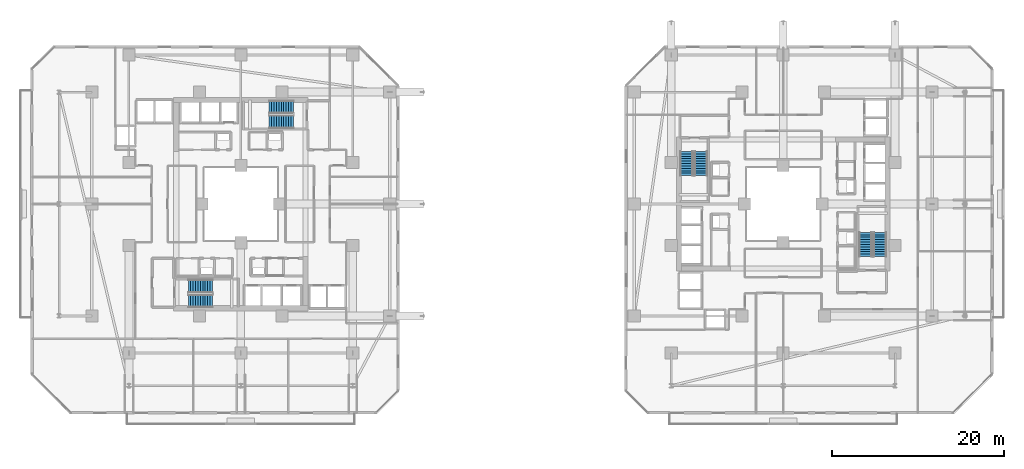
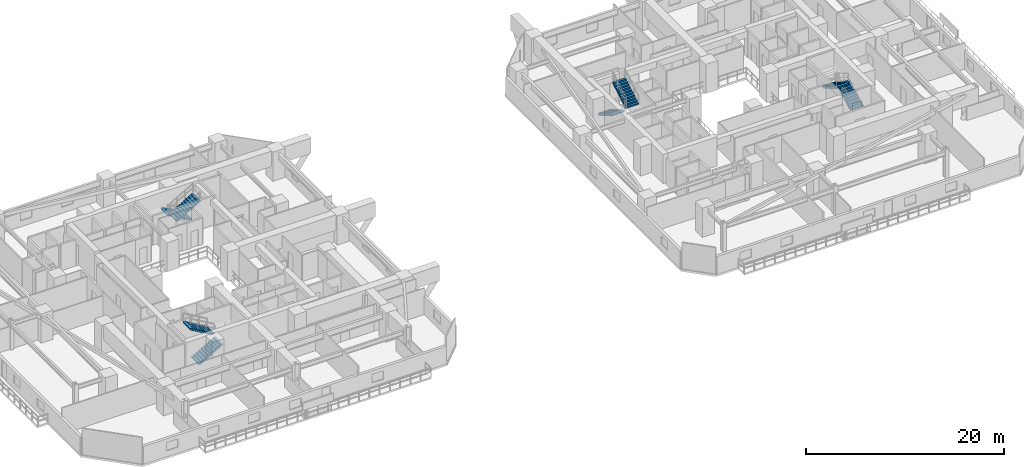
# One storey, part 29 of 36: 8 stair flights, 4 elements without a shape of their own.
"""IFC4 building model written with IfcOpenShell, lengths in metres."""

from ifc_helpers import new_model, si_unit, direction, frame, origin, place, context, subcontext, project, spatial, polyline, outline, extrude, material, type_object, element, aggregate, save


model = new_model("IFC4")

# Units and contexts
model_context = context("Model", 3, precision=1e-05, world=origin(), true_north=direction((0.0, 1.0)))
body_context = subcontext(model_context, "Body", "Model", "MODEL_VIEW")
ifc_project = project(units=[si_unit("LENGTHUNIT", "METRE"), si_unit("AREAUNIT", "SQUARE_METRE"), si_unit("VOLUMEUNIT", "CUBIC_METRE"), si_unit("PLANEANGLEUNIT", "RADIAN"), si_unit("MASSUNIT", "GRAM", prefix="KILO")], contexts=[model_context])

# Site, building, storey
site_placement = place(None, origin())
site = spatial("IfcSite", under=ifc_project, at=site_placement, CompositionType="ELEMENT")
building_placement = place(site_placement, origin())
building = spatial("IfcBuilding", under=site, at=building_placement, Name="Thornwick Lancets Civic Towers", CompositionType="ELEMENT")
storey_placement = place(building_placement, frame((0.0, 0.0, 45.89990234375)))
storey = spatial("IfcBuildingStorey", under=building, at=storey_placement, Name="L11", CompositionType="ELEMENT", Elevation=45.89990234375)

# Stair, stair flights
ifc_material = material(Name="Concrete C40/50", Category="concrete")
stair_type = type_object("IfcStairType", Name="STAIR_DL_3600", PredefinedType="HALF_TURN_STAIR", material=ifc_material)
stair_1_placement = place(storey_placement, origin())
stair_1 = element("IfcStair", 1, at=stair_1_placement, inside=storey, type_object=stair_type, Name="L11 Tower A South Exit Stair ST-A1", PredefinedType="HALF_TURN_STAIR")
stair_flight_type = type_object("IfcStairFlightType", Name="FLIGHT_3600", PredefinedType="STRAIGHT", material=ifc_material)
stair_flight_1_placement = place(storey_placement, frame((19.39990234375, 15.75, 0.0), z_axis=(0.0, 0.0, 1.0), x_axis=(1.0, 0.0, 0.0)))
stair_flight_1 = element("IfcStairFlight", 2, at=stair_flight_1_placement, type_object=stair_flight_type, Name="ST-A1 flight 1", NumberOfRisers=11, NumberOfTreads=10, PredefinedType="STRAIGHT", RiserHeight=0.163636364, TreadLength=0.28, context=body_context, shape_type="SweptSolid", body=[
    extrude(outline(polyline([(0.0, 0.0), (0.0, 0.16357421875), (0.280029296875, 0.16357421875), (0.280029296875, 0.327392578125), (0.56005859375, 0.327392578125), (0.56005859375, 0.490966796875), (0.840087890625, 0.490966796875), (0.840087890625, 0.654541015625), (1.1201171875, 0.654541015625), (1.1201171875, 0.818115234375), (1.39990234375, 0.818115234375), (1.39990234375, 0.98193359375), (1.679931640625, 0.98193359375), (1.679931640625, 1.1455078125), (1.9599609375, 1.1455078125), (1.9599609375, 1.30908203125), (2.239990234375, 1.30908203125), (2.239990234375, 1.47265625), (2.52001953125, 1.47265625), (2.52001953125, 1.636474609375), (2.800048828125, 1.636474609375), (2.800048828125, 1.800048828125), (2.800048828125, 1.462646484375), (0.297119140625, 0.0), (0.0, 0.0)])), frame((0.0, 0.75, 0.0), z_axis=(0.0, -1.0, 0.0), x_axis=(1.0, 0.0, 0.0)), (0.0, 0.0, 1.0), 1.5),
])
stair_flight_2_placement = place(storey_placement, frame((22.199951171875, 17.449951171875, 1.800048828125), z_axis=(0.0, 0.0, 1.0), x_axis=(-1.0, 0.0, 0.0)))
stair_flight_2 = element("IfcStairFlight", 3, at=stair_flight_2_placement, type_object=stair_flight_type, Name="ST-A1 flight 2", NumberOfRisers=11, NumberOfTreads=10, PredefinedType="STRAIGHT", RiserHeight=0.163636364, TreadLength=0.28, context=body_context, shape_type="SweptSolid", body=[
    extrude(outline(polyline([(0.0, 0.0), (0.0, 0.16357421875), (0.280029296875, 0.16357421875), (0.280029296875, 0.327392578125), (0.56005859375, 0.327392578125), (0.56005859375, 0.490966796875), (0.840087890625, 0.490966796875), (0.840087890625, 0.654541015625), (1.1201171875, 0.654541015625), (1.1201171875, 0.818115234375), (1.39990234375, 0.818115234375), (1.39990234375, 0.98193359375), (1.679931640625, 0.98193359375), (1.679931640625, 1.1455078125), (1.9599609375, 1.1455078125), (1.9599609375, 1.30908203125), (2.239990234375, 1.30908203125), (2.239990234375, 1.47265625), (2.52001953125, 1.47265625), (2.52001953125, 1.636474609375), (2.800048828125, 1.636474609375), (2.800048828125, 1.800048828125), (2.800048828125, 1.462646484375), (0.297119140625, 0.0), (0.0, 0.0)])), frame((0.0, 0.75, 0.0), z_axis=(0.0, -1.0, 0.0), x_axis=(1.0, 0.0, 0.0)), (0.0, 0.0, 1.0), 1.5),
])
aggregate(stair_1, [stair_flight_1, stair_flight_2])

stair_2_placement = place(storey_placement, origin())
stair_2 = element("IfcStair", 4, at=stair_2_placement, inside=storey, type_object=stair_type, Name="L11 Tower A North Exit Stair ST-A2", PredefinedType="HALF_TURN_STAIR")
stair_flight_3_placement = place(storey_placement, frame((31.60009765625, 38.25, 0.0), z_axis=(0.0, 0.0, 1.0), x_axis=(-1.0, 0.0, 0.0)))
stair_flight_3 = element("IfcStairFlight", 5, at=stair_flight_3_placement, type_object=stair_flight_type, Name="ST-A2 flight 1", NumberOfRisers=11, NumberOfTreads=10, PredefinedType="STRAIGHT", RiserHeight=0.163636364, TreadLength=0.28, context=body_context, shape_type="SweptSolid", body=[
    extrude(outline(polyline([(0.0, 0.0), (0.0, 0.16357421875), (0.280029296875, 0.16357421875), (0.280029296875, 0.327392578125), (0.56005859375, 0.327392578125), (0.56005859375, 0.490966796875), (0.840087890625, 0.490966796875), (0.840087890625, 0.654541015625), (1.1201171875, 0.654541015625), (1.1201171875, 0.818115234375), (1.39990234375, 0.818115234375), (1.39990234375, 0.98193359375), (1.679931640625, 0.98193359375), (1.679931640625, 1.1455078125), (1.9599609375, 1.1455078125), (1.9599609375, 1.30908203125), (2.239990234375, 1.30908203125), (2.239990234375, 1.47265625), (2.52001953125, 1.47265625), (2.52001953125, 1.636474609375), (2.800048828125, 1.636474609375), (2.800048828125, 1.800048828125), (2.800048828125, 1.462646484375), (0.297119140625, 0.0), (0.0, 0.0)])), frame((0.0, 0.75, 0.0), z_axis=(0.0, -1.0, 0.0), x_axis=(1.0, 0.0, 0.0)), (0.0, 0.0, 1.0), 1.5),
])
stair_flight_4_placement = place(storey_placement, frame((28.800048828125, 36.550048828125, 1.800048828125), z_axis=(0.0, 0.0, 1.0), x_axis=(1.0, 0.0, 0.0)))
stair_flight_4 = element("IfcStairFlight", 6, at=stair_flight_4_placement, type_object=stair_flight_type, Name="ST-A2 flight 2", NumberOfRisers=11, NumberOfTreads=10, PredefinedType="STRAIGHT", RiserHeight=0.163636364, TreadLength=0.28, context=body_context, shape_type="SweptSolid", body=[
    extrude(outline(polyline([(0.0, 0.0), (0.0, 0.16357421875), (0.280029296875, 0.16357421875), (0.280029296875, 0.327392578125), (0.56005859375, 0.327392578125), (0.56005859375, 0.490966796875), (0.840087890625, 0.490966796875), (0.840087890625, 0.654541015625), (1.1201171875, 0.654541015625), (1.1201171875, 0.818115234375), (1.39990234375, 0.818115234375), (1.39990234375, 0.98193359375), (1.679931640625, 0.98193359375), (1.679931640625, 1.1455078125), (1.9599609375, 1.1455078125), (1.9599609375, 1.30908203125), (2.239990234375, 1.30908203125), (2.239990234375, 1.47265625), (2.52001953125, 1.47265625), (2.52001953125, 1.636474609375), (2.800048828125, 1.636474609375), (2.800048828125, 1.800048828125), (2.800048828125, 1.462646484375), (0.297119140625, 0.0), (0.0, 0.0)])), frame((0.0, 0.75, 0.0), z_axis=(0.0, -1.0, 0.0), x_axis=(1.0, 0.0, 0.0)), (0.0, 0.0, 1.0), 1.5),
])
aggregate(stair_2, [stair_flight_3, stair_flight_4])

stair_3_placement = place(storey_placement, origin())
stair_3 = element("IfcStair", 7, at=stair_3_placement, inside=storey, type_object=stair_type, Name="L11 Tower B East Exit Stair ST-B1", PredefinedType="HALF_TURN_STAIR")
stair_flight_5_placement = place(storey_placement, frame((99.75, 20.89990234375, 0.0), z_axis=(0.0, 0.0, 1.0), x_axis=(0.0, 1.0, 0.0)))
stair_flight_5 = element("IfcStairFlight", 8, at=stair_flight_5_placement, type_object=stair_flight_type, Name="ST-B1 flight 1", NumberOfRisers=11, NumberOfTreads=10, PredefinedType="STRAIGHT", RiserHeight=0.163636364, TreadLength=0.28, context=body_context, shape_type="SweptSolid", body=[
    extrude(outline(polyline([(0.0, 0.0), (0.0, 0.16357421875), (0.280029296875, 0.16357421875), (0.280029296875, 0.327392578125), (0.56005859375, 0.327392578125), (0.56005859375, 0.490966796875), (0.840087890625, 0.490966796875), (0.840087890625, 0.654541015625), (1.1201171875, 0.654541015625), (1.1201171875, 0.818115234375), (1.39990234375, 0.818115234375), (1.39990234375, 0.98193359375), (1.679931640625, 0.98193359375), (1.679931640625, 1.1455078125), (1.9599609375, 1.1455078125), (1.9599609375, 1.30908203125), (2.239990234375, 1.30908203125), (2.239990234375, 1.47265625), (2.52001953125, 1.47265625), (2.52001953125, 1.636474609375), (2.800048828125, 1.636474609375), (2.800048828125, 1.800048828125), (2.800048828125, 1.462646484375), (0.297119140625, 0.0), (0.0, 0.0)])), frame((0.0, 0.75, 0.0), z_axis=(0.0, -1.0, 0.0), x_axis=(1.0, 0.0, 0.0)), (0.0, 0.0, 1.0), 1.5),
])
stair_flight_6_placement = place(storey_placement, frame((98.050048828125, 23.699951171875, 1.800048828125), z_axis=(0.0, 0.0, 1.0), x_axis=(0.0, -1.0, 0.0)))
stair_flight_6 = element("IfcStairFlight", 9, at=stair_flight_6_placement, type_object=stair_flight_type, Name="ST-B1 flight 2", NumberOfRisers=11, NumberOfTreads=10, PredefinedType="STRAIGHT", RiserHeight=0.163636364, TreadLength=0.28, context=body_context, shape_type="SweptSolid", body=[
    extrude(outline(polyline([(0.0, 0.0), (0.0, 0.16357421875), (0.280029296875, 0.16357421875), (0.280029296875, 0.327392578125), (0.56005859375, 0.327392578125), (0.56005859375, 0.490966796875), (0.840087890625, 0.490966796875), (0.840087890625, 0.654541015625), (1.1201171875, 0.654541015625), (1.1201171875, 0.818115234375), (1.39990234375, 0.818115234375), (1.39990234375, 0.98193359375), (1.679931640625, 0.98193359375), (1.679931640625, 1.1455078125), (1.9599609375, 1.1455078125), (1.9599609375, 1.30908203125), (2.239990234375, 1.30908203125), (2.239990234375, 1.47265625), (2.52001953125, 1.47265625), (2.52001953125, 1.636474609375), (2.800048828125, 1.636474609375), (2.800048828125, 1.800048828125), (2.800048828125, 1.462646484375), (0.297119140625, 0.0), (0.0, 0.0)])), frame((0.0, 0.75, 0.0), z_axis=(0.0, -1.0, 0.0), x_axis=(1.0, 0.0, 0.0)), (0.0, 0.0, 1.0), 1.5),
])
aggregate(stair_3, [stair_flight_5, stair_flight_6])

stair_4_placement = place(storey_placement, origin())
stair_4 = element("IfcStair", 10, at=stair_4_placement, inside=storey, type_object=stair_type, Name="L11 Tower B West Exit Stair ST-B2", PredefinedType="HALF_TURN_STAIR")
stair_flight_7_placement = place(storey_placement, frame((77.25, 33.10009765625, 0.0), z_axis=(0.0, 0.0, 1.0), x_axis=(0.0, -1.0, 0.0)))
stair_flight_7 = element("IfcStairFlight", 11, at=stair_flight_7_placement, type_object=stair_flight_type, Name="ST-B2 flight 1", NumberOfRisers=11, NumberOfTreads=10, PredefinedType="STRAIGHT", RiserHeight=0.163636364, TreadLength=0.28, context=body_context, shape_type="SweptSolid", body=[
    extrude(outline(polyline([(0.0, 0.0), (0.0, 0.16357421875), (0.280029296875, 0.16357421875), (0.280029296875, 0.327392578125), (0.56005859375, 0.327392578125), (0.56005859375, 0.490966796875), (0.840087890625, 0.490966796875), (0.840087890625, 0.654541015625), (1.1201171875, 0.654541015625), (1.1201171875, 0.818115234375), (1.39990234375, 0.818115234375), (1.39990234375, 0.98193359375), (1.679931640625, 0.98193359375), (1.679931640625, 1.1455078125), (1.9599609375, 1.1455078125), (1.9599609375, 1.30908203125), (2.239990234375, 1.30908203125), (2.239990234375, 1.47265625), (2.52001953125, 1.47265625), (2.52001953125, 1.636474609375), (2.800048828125, 1.636474609375), (2.800048828125, 1.800048828125), (2.800048828125, 1.462646484375), (0.297119140625, 0.0), (0.0, 0.0)])), frame((0.0, 0.75, 0.0), z_axis=(0.0, -1.0, 0.0), x_axis=(1.0, 0.0, 0.0)), (0.0, 0.0, 1.0), 1.5),
])
stair_flight_8_placement = place(storey_placement, frame((78.949951171875, 30.300048828125, 1.800048828125), z_axis=(0.0, 0.0, 1.0), x_axis=(0.0, 1.0, 0.0)))
stair_flight_8 = element("IfcStairFlight", 12, at=stair_flight_8_placement, type_object=stair_flight_type, Name="ST-B2 flight 2", NumberOfRisers=11, NumberOfTreads=10, PredefinedType="STRAIGHT", RiserHeight=0.163636364, TreadLength=0.28, context=body_context, shape_type="SweptSolid", body=[
    extrude(outline(polyline([(0.0, 0.0), (0.0, 0.16357421875), (0.280029296875, 0.16357421875), (0.280029296875, 0.327392578125), (0.56005859375, 0.327392578125), (0.56005859375, 0.490966796875), (0.840087890625, 0.490966796875), (0.840087890625, 0.654541015625), (1.1201171875, 0.654541015625), (1.1201171875, 0.818115234375), (1.39990234375, 0.818115234375), (1.39990234375, 0.98193359375), (1.679931640625, 0.98193359375), (1.679931640625, 1.1455078125), (1.9599609375, 1.1455078125), (1.9599609375, 1.30908203125), (2.239990234375, 1.30908203125), (2.239990234375, 1.47265625), (2.52001953125, 1.47265625), (2.52001953125, 1.636474609375), (2.800048828125, 1.636474609375), (2.800048828125, 1.800048828125), (2.800048828125, 1.462646484375), (0.297119140625, 0.0), (0.0, 0.0)])), frame((0.0, 0.75, 0.0), z_axis=(0.0, -1.0, 0.0), x_axis=(1.0, 0.0, 0.0)), (0.0, 0.0, 1.0), 1.5),
])
aggregate(stair_4, [stair_flight_7, stair_flight_8])

save(model, "model.ifc")
